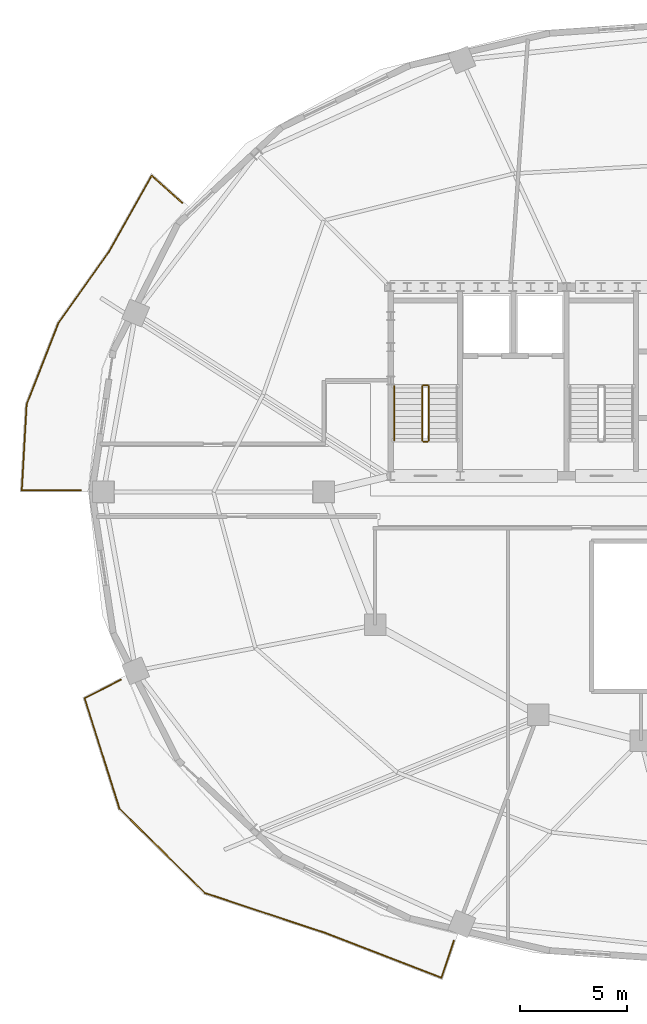
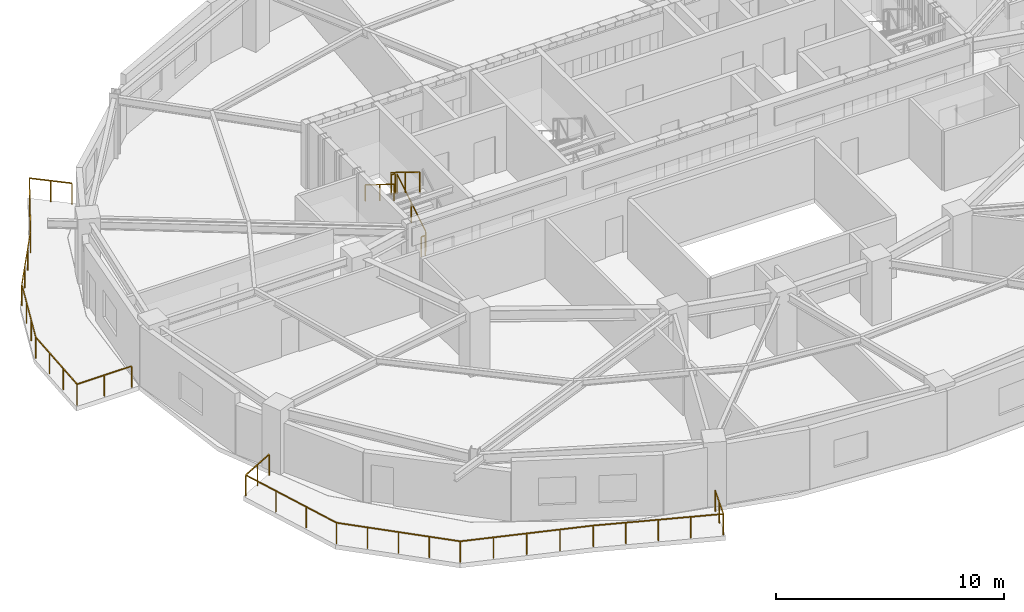
# One storey, part 7 of 11: 7 railings.
"""IFC4 building model written with IfcOpenShell, lengths in metres."""

from ifc_helpers import new_model, si_unit, direction, frame, origin, origin_2d, place, context, subcontext, project, spatial, rectangle, extrude, material, type_object, element, save


model = new_model("IFC4")

# Units and contexts
model_context = context("Model", 3, precision=1e-05, world=origin(), true_north=direction((0.0, 1.0)))
body_context = subcontext(model_context, "Body", "Model", "MODEL_VIEW")
ifc_project = project(units=[si_unit("LENGTHUNIT", "METRE"), si_unit("AREAUNIT", "SQUARE_METRE"), si_unit("VOLUMEUNIT", "CUBIC_METRE"), si_unit("PLANEANGLEUNIT", "RADIAN"), si_unit("MASSUNIT", "GRAM", prefix="KILO")], contexts=[model_context])

# Site, building, storey
site_placement = place(None, origin())
site = spatial("IfcSite", under=ifc_project, at=site_placement, CompositionType="ELEMENT")
building_placement = place(site_placement, origin())
building = spatial("IfcBuilding", under=site, at=building_placement, Name="Haldorwick Loom Tower", CompositionType="ELEMENT")
storey_placement = place(building_placement, frame((0.0, 0.0, 230.550048828125)))
storey = spatial("IfcBuildingStorey", under=building, at=storey_placement, Name="L62", CompositionType="ELEMENT", Elevation=230.550048828125)

# Railings
ifc_material_1 = material(Name="Galvanized Steel CSA G40.21 350W", Category="steel")
railing_type_1 = type_object("IfcRailingType", Name="ARC-RLG-BAL115", PredefinedType="BALUSTRADE", material=ifc_material_1)
railing_1_placement = place(storey_placement, frame((24.87890625, 5.0810546875, 0.0)))
element("IfcRailing", 1, at=railing_1_placement, inside=storey, type_object=railing_type_1, Name="L62 Outdoor Terrace Guardrail SLB-L62-BAL_SW-1", PredefinedType="BALUSTRADE", context=body_context, shape_type="SweptSolid", body=[
    extrude(rectangle(XDim=0.048095703125, YDim=0.048095703125, at=origin_2d()), frame((0.0, 0.0, 1.1259765625), z_axis=(-0.320504158811, -0.947247108301, 0.0), x_axis=(0.947247108301, -0.320504158811, 0.0)), (0.0, 0.0, 1.0), 1.831298828125),
    extrude(rectangle(XDim=0.048095703125, YDim=0.048095703125, at=origin_2d()), frame((-0.5869140625, -1.734619140625, 1.1259765625), z_axis=(-0.932644921505, 0.360795579783, 0.0), x_axis=(-0.360795579783, -0.932644921505, 0.0)), (0.0, 0.0, 1.0), 5.761962890625),
    extrude(rectangle(XDim=0.048095703125, YDim=0.048095703125, at=origin_2d()), frame((-5.960693359375, 0.34423828125, 1.1259765625), z_axis=(-0.928476690885, 0.371390676354, 0.0), x_axis=(-0.371390676354, -0.928476690885, 0.0)), (0.0, 0.0, 1.0), 0.00390625),
    extrude(rectangle(XDim=0.048095703125, YDim=0.048095703125, at=origin_2d()), frame((-5.96435546875, 0.345703125, 1.1259765625), z_axis=(-0.94926443568, 0.314478983642, 0.0), x_axis=(-0.314478983642, -0.94926443568, 0.0)), (0.0, 0.0, 1.0), 5.948974609375),
    extrude(rectangle(XDim=0.048095703125, YDim=0.048095703125, at=origin_2d()), frame((-11.611572265625, 2.216552734375, 1.1259765625), z_axis=(-0.711342204657, 0.702845835069, 0.0), x_axis=(-0.702845835069, -0.711342204657, 0.0)), (0.0, 0.0, 1.0), 5.603271484375),
    extrude(rectangle(XDim=0.048095703125, YDim=0.048095703125, at=origin_2d()), frame((-15.597412109375, 6.15478515625, 1.1259765625), z_axis=(-0.300921194881, 0.953649010104, 0.0), x_axis=(-0.953649010104, -0.300921194881, 0.0)), (0.0, 0.0, 1.0), 5.392822265625),
    extrude(rectangle(XDim=0.048095703125, YDim=0.048095703125, at=origin_2d()), frame((-17.22021484375, 11.297607421875, 1.1259765625), z_axis=(0.890851699435, 0.454294232425, 0.0), x_axis=(-0.454294232425, 0.890851699435, 0.0)), (0.0, 0.0, 1.0), 1.8857421875),
    extrude(rectangle(XDim=0.0419921875, YDim=0.0419921875, at=origin_2d()), origin(), (0.0, 0.0, 1.0), 1.101806640625),
    extrude(rectangle(XDim=0.0419921875, YDim=0.0419921875, at=origin_2d()), frame((-0.29345703125, -0.8671875, 0.0)), (0.0, 0.0, 1.0), 1.101806640625),
    extrude(rectangle(XDim=0.0419921875, YDim=0.0419921875, at=origin_2d()), frame((-0.5869140625, -1.734619140625, 0.0)), (0.0, 0.0, 1.0), 1.101806640625),
    extrude(rectangle(XDim=0.0419921875, YDim=0.0419921875, at=origin_2d()), frame((-1.930419921875, -1.21484375, 0.0)), (0.0, 0.0, 1.0), 1.101806640625),
    extrude(rectangle(XDim=0.0419921875, YDim=0.0419921875, at=origin_2d()), frame((-3.27392578125, -0.6953125, 0.0)), (0.0, 0.0, 1.0), 1.101806640625),
    extrude(rectangle(XDim=0.0419921875, YDim=0.0419921875, at=origin_2d()), frame((-4.6171875, -0.175537109375, 0.0)), (0.0, 0.0, 1.0), 1.101806640625),
    extrude(rectangle(XDim=0.0419921875, YDim=0.0419921875, at=origin_2d()), frame((-5.960693359375, 0.34423828125, 0.0)), (0.0, 0.0, 1.0), 1.101806640625),
    extrude(rectangle(XDim=0.0419921875, YDim=0.0419921875, at=origin_2d()), frame((-7.376220703125, 0.8134765625, 0.0)), (0.0, 0.0, 1.0), 1.101806640625),
    extrude(rectangle(XDim=0.0419921875, YDim=0.0419921875, at=origin_2d()), frame((-8.7880859375, 1.28125, 0.0)), (0.0, 0.0, 1.0), 1.101806640625),
    extrude(rectangle(XDim=0.0419921875, YDim=0.0419921875, at=origin_2d()), frame((-10.19970703125, 1.748779296875, 0.0)), (0.0, 0.0, 1.0), 1.101806640625),
    extrude(rectangle(XDim=0.0419921875, YDim=0.0419921875, at=origin_2d()), frame((-11.611572265625, 2.216552734375, 0.0)), (0.0, 0.0, 1.0), 1.101806640625),
    extrude(rectangle(XDim=0.0419921875, YDim=0.0419921875, at=origin_2d()), frame((-12.60791015625, 3.201171875, 0.0)), (0.0, 0.0, 1.0), 1.101806640625),
    extrude(rectangle(XDim=0.0419921875, YDim=0.0419921875, at=origin_2d()), frame((-13.6044921875, 4.185546875, 0.0)), (0.0, 0.0, 1.0), 1.101806640625),
    extrude(rectangle(XDim=0.0419921875, YDim=0.0419921875, at=origin_2d()), frame((-14.60107421875, 5.170166015625, 0.0)), (0.0, 0.0, 1.0), 1.101806640625),
    extrude(rectangle(XDim=0.0419921875, YDim=0.0419921875, at=origin_2d()), frame((-15.597412109375, 6.15478515625, 0.0)), (0.0, 0.0, 1.0), 1.101806640625),
    extrude(rectangle(XDim=0.0419921875, YDim=0.0419921875, at=origin_2d()), frame((-16.138427734375, 7.869140625, 0.0)), (0.0, 0.0, 1.0), 1.101806640625),
    extrude(rectangle(XDim=0.0419921875, YDim=0.0419921875, at=origin_2d()), frame((-16.67919921875, 9.583251953125, 0.0)), (0.0, 0.0, 1.0), 1.101806640625),
    extrude(rectangle(XDim=0.0419921875, YDim=0.0419921875, at=origin_2d()), frame((-17.22021484375, 11.297607421875, 0.0)), (0.0, 0.0, 1.0), 1.101806640625),
    extrude(rectangle(XDim=0.0419921875, YDim=0.0419921875, at=origin_2d()), frame((-16.38037109375, 11.72607421875, 0.0)), (0.0, 0.0, 1.0), 1.101806640625),
    extrude(rectangle(XDim=0.0419921875, YDim=0.0419921875, at=origin_2d()), frame((-15.540283203125, 12.154296875, 0.0)), (0.0, 0.0, 1.0), 1.101806640625),
])
railing_2_placement = place(storey_placement, frame((7.490478515625, 26.080078125, 0.0)))
element("IfcRailing", 2, at=railing_2_placement, inside=storey, type_object=railing_type_1, Name="L62 Outdoor Terrace Guardrail SLB-L62-BAL_WNW-1", PredefinedType="BALUSTRADE", context=body_context, shape_type="SweptSolid", body=[
    extrude(rectangle(XDim=0.048095703125, YDim=0.048095703125, at=origin_2d()), frame((0.0, 0.0, 1.1259765625), z_axis=(-1.0, 0.0, 0.0), x_axis=(0.0, -1.0, 0.0)), (0.0, 0.0, 1.0), 2.7607421875),
    extrude(rectangle(XDim=0.048095703125, YDim=0.048095703125, at=origin_2d()), frame((-2.7607421875, 0.0, 1.1259765625), z_axis=(0.056107004933, 0.99842476131, 0.0), x_axis=(-0.99842476131, 0.056107004933, 0.0)), (0.0, 0.0, 1.0), 4.011962890625),
    extrude(rectangle(XDim=0.048095703125, YDim=0.048095703125, at=origin_2d()), frame((-2.53564453125, 4.005615234375, 1.1259765625), z_axis=(0.364349606292, 0.931262242548, 0.0), x_axis=(-0.931262242548, 0.364349606292, 0.0)), (0.0, 0.0, 1.0), 4.0712890625),
    extrude(rectangle(XDim=0.048095703125, YDim=0.048095703125, at=origin_2d()), frame((-1.05224609375, 7.797119140625, 1.1259765625), z_axis=(0.578864631645, 0.815423655673, 0.0), x_axis=(-0.815423655673, 0.578864631645, 0.0)), (0.0, 0.0, 1.0), 4.0517578125),
    extrude(rectangle(XDim=0.048095703125, YDim=0.048095703125, at=origin_2d()), frame((1.293212890625, 11.10107421875, 1.1259765625), z_axis=(0.527362861778, 0.849640166198, 0.0), x_axis=(-0.849640166198, 0.527362861778, 0.0)), (0.0, 0.0, 1.0), 0.00830078125),
    extrude(rectangle(XDim=0.048095703125, YDim=0.048095703125, at=origin_2d()), frame((1.297607421875, 11.108154296875, 1.1259765625), z_axis=(0.490369152637, 0.871514827265, 0.0), x_axis=(-0.871514827265, 0.490369152637, 0.0)), (0.0, 0.0, 1.0), 4.08154296875),
    extrude(rectangle(XDim=0.048095703125, YDim=0.048095703125, at=origin_2d()), frame((3.299072265625, 14.665283203125, 1.1259765625), z_axis=(0.745999116868, -0.665946933046, 0.0), x_axis=(0.665946933046, 0.745999116868, 0.0)), (0.0, 0.0, 1.0), 1.903076171875),
    extrude(rectangle(XDim=0.0419921875, YDim=0.0419921875, at=origin_2d()), origin(), (0.0, 0.0, 1.0), 1.101806640625),
    extrude(rectangle(XDim=0.0419921875, YDim=0.0419921875, at=origin_2d()), frame((-1.38037109375, 0.0, 0.0)), (0.0, 0.0, 1.0), 1.101806640625),
    extrude(rectangle(XDim=0.0419921875, YDim=0.0419921875, at=origin_2d()), frame((-2.7607421875, 0.0, 0.0)), (0.0, 0.0, 1.0), 1.101806640625),
    extrude(rectangle(XDim=0.0419921875, YDim=0.0419921875, at=origin_2d()), frame((-2.685791015625, 1.335205078125, 0.0)), (0.0, 0.0, 1.0), 1.101806640625),
    extrude(rectangle(XDim=0.0419921875, YDim=0.0419921875, at=origin_2d()), frame((-2.610595703125, 2.67041015625, 0.0)), (0.0, 0.0, 1.0), 1.101806640625),
    extrude(rectangle(XDim=0.0419921875, YDim=0.0419921875, at=origin_2d()), frame((-2.53564453125, 4.005615234375, 0.0)), (0.0, 0.0, 1.0), 1.101806640625),
    extrude(rectangle(XDim=0.0419921875, YDim=0.0419921875, at=origin_2d()), frame((-2.041259765625, 5.26953125, 0.0)), (0.0, 0.0, 1.0), 1.101806640625),
    extrude(rectangle(XDim=0.0419921875, YDim=0.0419921875, at=origin_2d()), frame((-1.546630859375, 6.533203125, 0.0)), (0.0, 0.0, 1.0), 1.101806640625),
    extrude(rectangle(XDim=0.0419921875, YDim=0.0419921875, at=origin_2d()), frame((-1.05224609375, 7.797119140625, 0.0)), (0.0, 0.0, 1.0), 1.101806640625),
    extrude(rectangle(XDim=0.0419921875, YDim=0.0419921875, at=origin_2d()), frame((-0.2705078125, 8.8984375, 0.0)), (0.0, 0.0, 1.0), 1.101806640625),
    extrude(rectangle(XDim=0.0419921875, YDim=0.0419921875, at=origin_2d()), frame((0.511474609375, 9.999755859375, 0.0)), (0.0, 0.0, 1.0), 1.101806640625),
    extrude(rectangle(XDim=0.0419921875, YDim=0.0419921875, at=origin_2d()), frame((1.293212890625, 11.10107421875, 0.0)), (0.0, 0.0, 1.0), 1.101806640625),
    extrude(rectangle(XDim=0.0419921875, YDim=0.0419921875, at=origin_2d()), frame((1.96484375, 12.2939453125, 0.0)), (0.0, 0.0, 1.0), 1.101806640625),
    extrude(rectangle(XDim=0.0419921875, YDim=0.0419921875, at=origin_2d()), frame((2.6318359375, 13.4794921875, 0.0)), (0.0, 0.0, 1.0), 1.101806640625),
    extrude(rectangle(XDim=0.0419921875, YDim=0.0419921875, at=origin_2d()), frame((3.299072265625, 14.665283203125, 0.0)), (0.0, 0.0, 1.0), 1.101806640625),
    extrude(rectangle(XDim=0.0419921875, YDim=0.0419921875, at=origin_2d()), frame((4.0087890625, 14.03173828125, 0.0)), (0.0, 0.0, 1.0), 1.101806640625),
    extrude(rectangle(XDim=0.0419921875, YDim=0.0419921875, at=origin_2d()), frame((4.71875, 13.39794921875, 0.0)), (0.0, 0.0, 1.0), 1.101806640625),
])
ifc_material_2 = material(Name="Steel CSA G40.21 350W", Category="steel")
railing_type_2 = type_object("IfcRailingType", Name="ARC-RLG-GUARD112", PredefinedType="GUARDRAIL", material=ifc_material_2)
railing_3_placement = place(storey_placement, frame((23.699951171875, 28.39990234375, 0.17236328125)))
element("IfcRailing", 3, at=railing_3_placement, inside=storey, type_object=railing_type_2, Name="L62 ST-01 stair guard 1", PredefinedType="GUARDRAIL", context=body_context, shape_type="SweptSolid", body=[
    extrude(rectangle(XDim=0.048095703125, YDim=0.048095703125, at=origin_2d()), frame((0.0, 0.0, 1.076171875), z_axis=(0.0, 0.851400495292, 0.524516154772), x_axis=(-1.0, 0.0, 0.0)), (0.0, 0.0, 1.0), 2.9599609375),
    extrude(rectangle(XDim=0.0419921875, YDim=0.0419921875, at=origin_2d()), origin(), (0.0, 0.0, 1.0), 1.052001953125),
    extrude(rectangle(XDim=0.0419921875, YDim=0.0419921875, at=origin_2d()), frame((0.0, 1.260009765625, 0.7763671875)), (0.0, 0.0, 1.0), 1.052001953125),
    extrude(rectangle(XDim=0.0419921875, YDim=0.0419921875, at=origin_2d()), frame((0.0, 2.52001953125, 1.552490234375)), (0.0, 0.0, 1.0), 1.052001953125),
])
railing_4_placement = place(storey_placement, frame((23.64990234375, 30.969970703125, 1.724853515625)))
element("IfcRailing", 4, at=railing_4_placement, inside=storey, type_object=railing_type_2, Name="L62 ST-01 stair guard 2", PredefinedType="GUARDRAIL", context=body_context, shape_type="SweptSolid", body=[
    extrude(rectangle(XDim=0.048095703125, YDim=0.048095703125, at=origin_2d()), frame((0.0, 0.0, 1.076171875), z_axis=(-1.0, 0.0, 0.0), x_axis=(0.0, -1.0, 0.0)), (0.0, 0.0, 1.0), 0.199951171875),
    extrude(rectangle(XDim=0.0419921875, YDim=0.0419921875, at=origin_2d()), origin(), (0.0, 0.0, 1.0), 1.052001953125),
    extrude(rectangle(XDim=0.0419921875, YDim=0.0419921875, at=origin_2d()), frame((-0.199951171875, 0.0, 0.0)), (0.0, 0.0, 1.0), 1.052001953125),
])
railing_5_placement = place(storey_placement, frame((23.39990234375, 30.919921875, 1.8974609375)))
element("IfcRailing", 5, at=railing_5_placement, inside=storey, type_object=railing_type_2, Name="L62 ST-01 stair guard 3", PredefinedType="GUARDRAIL", context=body_context, shape_type="SweptSolid", body=[
    extrude(rectangle(XDim=0.048095703125, YDim=0.048095703125, at=origin_2d()), frame((0.0, 0.0, 1.076171875), z_axis=(0.0, -0.851400495292, 0.524516154772), x_axis=(1.0, 0.0, 0.0)), (0.0, 0.0, 1.0), 2.9599609375),
    extrude(rectangle(XDim=0.0419921875, YDim=0.0419921875, at=origin_2d()), origin(), (0.0, 0.0, 1.0), 1.052001953125),
    extrude(rectangle(XDim=0.0419921875, YDim=0.0419921875, at=origin_2d()), frame((0.0, -1.260009765625, 0.7763671875)), (0.0, 0.0, 1.0), 1.052001953125),
    extrude(rectangle(XDim=0.0419921875, YDim=0.0419921875, at=origin_2d()), frame((0.0, -2.52001953125, 1.552490234375)), (0.0, 0.0, 1.0), 1.052001953125),
])
railing_6_placement = place(storey_placement, frame((23.64990234375, 28.35009765625, 0.0)))
element("IfcRailing", 6, at=railing_6_placement, inside=storey, type_object=railing_type_2, Name="L62 ST-01 stair guard 4", PredefinedType="GUARDRAIL", context=body_context, shape_type="SweptSolid", body=[
    extrude(rectangle(XDim=0.048095703125, YDim=0.048095703125, at=origin_2d()), frame((0.0, 0.0, 1.076171875), z_axis=(-1.0, 0.0, 0.0), x_axis=(0.0, -1.0, 0.0)), (0.0, 0.0, 1.0), 0.199951171875),
    extrude(rectangle(XDim=0.0419921875, YDim=0.0419921875, at=origin_2d()), origin(), (0.0, 0.0, 1.0), 1.052001953125),
    extrude(rectangle(XDim=0.0419921875, YDim=0.0419921875, at=origin_2d()), frame((-0.199951171875, 0.0, 0.0)), (0.0, 0.0, 1.0), 1.052001953125),
])
railing_type_3 = type_object("IfcRailingType", Name="ARC-RLG-HAND092", PredefinedType="HANDRAIL", material=ifc_material_2)
railing_7_placement = place(storey_placement, frame((22.10009765625, 30.919921875, 1.8974609375)))
element("IfcRailing", 7, at=railing_7_placement, inside=storey, type_object=railing_type_3, Name="L62 ST-01 stair handrail 2", PredefinedType="HANDRAIL", context=body_context, shape_type="SweptSolid", body=[
    extrude(rectangle(XDim=0.048095703125, YDim=0.048095703125, at=origin_2d()), frame((0.0, 0.0, 0.8759765625), z_axis=(0.0, -0.851400495292, 0.524516154772), x_axis=(1.0, 0.0, 0.0)), (0.0, 0.0, 1.0), 2.9599609375),
    extrude(rectangle(XDim=0.0419921875, YDim=0.0419921875, at=origin_2d()), origin(), (0.0, 0.0, 1.0), 0.851806640625),
    extrude(rectangle(XDim=0.0419921875, YDim=0.0419921875, at=origin_2d()), frame((0.0, -1.260009765625, 0.7763671875)), (0.0, 0.0, 1.0), 0.851806640625),
    extrude(rectangle(XDim=0.0419921875, YDim=0.0419921875, at=origin_2d()), frame((0.0, -2.52001953125, 1.552490234375)), (0.0, 0.0, 1.0), 0.851806640625),
])

save(model, "model.ifc")
